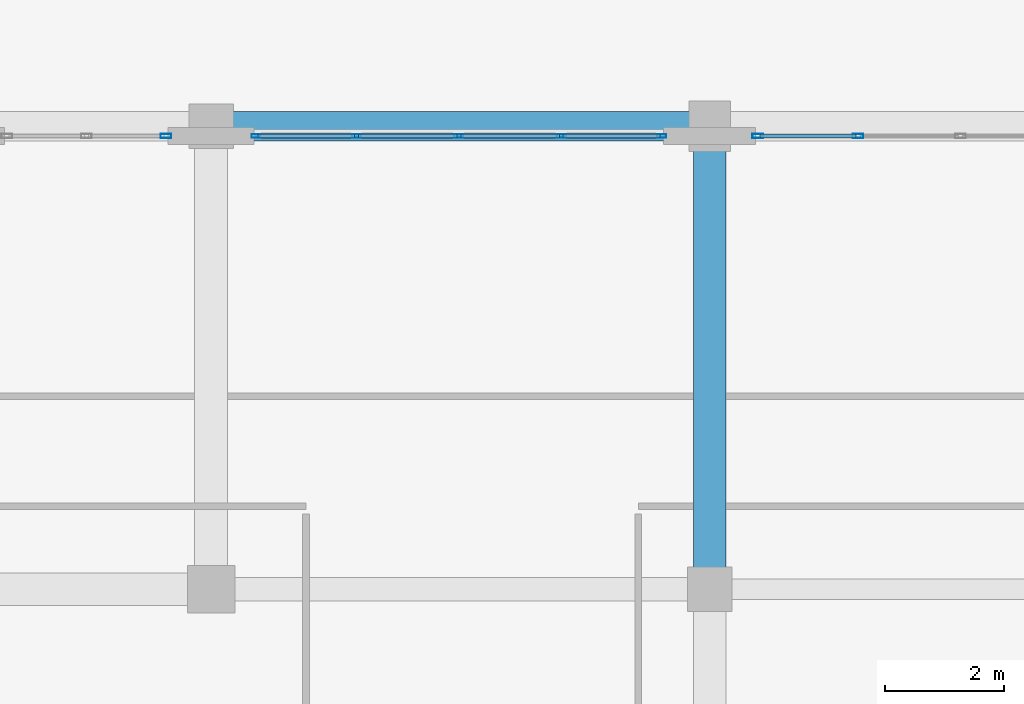
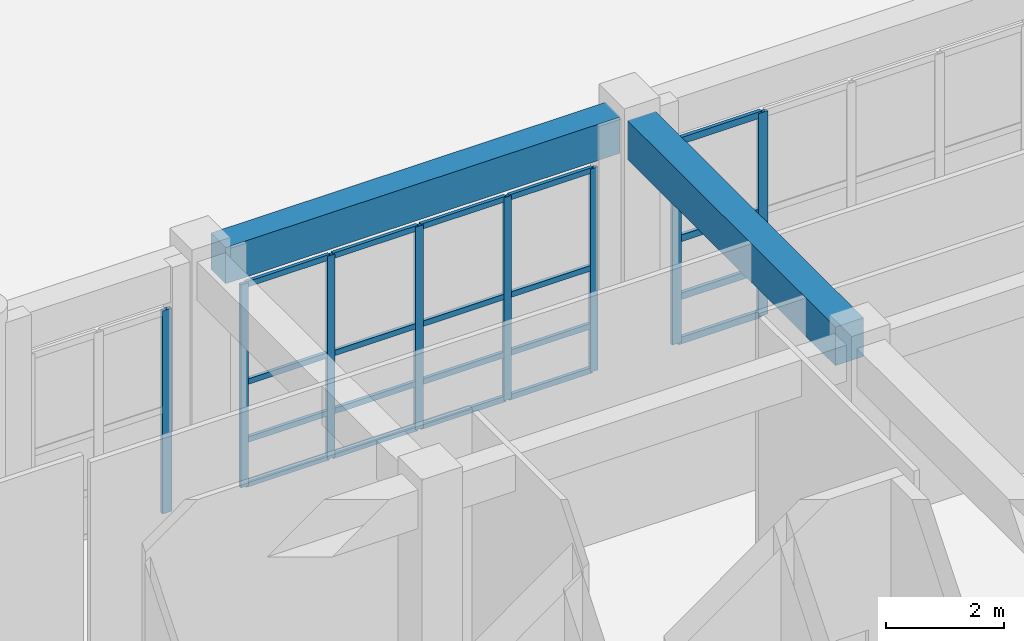
# One storey, part 22 of 148: 28 members, 2 beams, 3 elements without a shape of their own.
"""IFC4 building model written with IfcOpenShell, lengths in metres."""

from ifc_helpers import new_model, si_unit, direction, frame, origin, origin_2d, place, context, subcontext, project, spatial, rectangle, hollow_rectangle, extrude, material, layer, layer_set, material_profile, profile_set, type_object, element, aggregate, save


model = new_model("IFC4")

# Units and contexts
model_context = context("Model", 3, precision=1e-05, world=origin(), true_north=direction((0.0, 1.0)))
body_context = subcontext(model_context, "Body", "Model", "MODEL_VIEW")
ifc_project = project(units=[si_unit("LENGTHUNIT", "METRE"), si_unit("AREAUNIT", "SQUARE_METRE"), si_unit("VOLUMEUNIT", "CUBIC_METRE"), si_unit("PLANEANGLEUNIT", "RADIAN"), si_unit("MASSUNIT", "GRAM", prefix="KILO")], contexts=[model_context])

# Site, building, storey
site_placement = place(None, origin())
site = spatial("IfcSite", under=ifc_project, at=site_placement, CompositionType="ELEMENT")
building_placement = place(site_placement, origin())
building = spatial("IfcBuilding", under=site, at=building_placement, Name="Quendrovan Civic Courthouse", CompositionType="ELEMENT")
storey_placement = place(building_placement, origin())
storey = spatial("IfcBuildingStorey", under=building, at=storey_placement, Name="L01", CompositionType="ELEMENT", Elevation=0.0)

# Beams
ifc_material_1 = material(Name="Concrete C40/50", Category="concrete")
ifc_material_profile_1 = material_profile(ifc_material_1, rectangle(XDim=0.5, YDim=0.75, at=origin_2d()), Name="RC-BM-500x750")
ifc_profile_set_1 = profile_set([ifc_material_profile_1], Name="Concrete C40/50")
beam_type_1 = type_object("IfcBeamType", Name="BM-RC750", PredefinedType="SPANDREL", material=ifc_profile_set_1)
beam_1_placement = place(storey_placement, frame((33.955078125, 15.60009765625, 4.7451171875), z_axis=(1.0, 0.0, 0.0), x_axis=(0.0, 1.0, 0.0)))
element("IfcBeam", 1, at=beam_1_placement, inside=storey, type_object=beam_type_1, Name="L01 Girder X0269", PredefinedType="SPANDREL", context=body_context, shape_type="SweptSolid", body=[
    extrude(rectangle(XDim=0.5, YDim=0.75, at=origin_2d()), origin(), (0.0, 0.0, 1.0), 7.71484375),
])
ifc_material_profile_2 = material_profile(ifc_material_1, rectangle(XDim=0.550048828125, YDim=0.800048828125, at=origin_2d()), Name="RC-BM-550x800")
ifc_profile_set_2 = profile_set([ifc_material_profile_2], Name="Concrete C40/50")
beam_type_2 = type_object("IfcBeamType", Name="BM-RC800", PredefinedType="BEAM", material=ifc_profile_set_2)
beam_2_placement = place(storey_placement, frame((42.0, 8.155029296875, 4.719970703125), z_axis=(0.0, 1.0, 0.0), x_axis=(-1.0, 0.0, 0.0)))
element("IfcBeam", 2, at=beam_2_placement, inside=storey, type_object=beam_type_2, Name="L01 Girder Y0411", PredefinedType="BEAM", context=body_context, shape_type="SweptSolid", body=[
    extrude(rectangle(XDim=0.550048828125, YDim=0.800048828125, at=origin_2d()), origin(), (0.0, 0.0, 1.0), 7.0400390625),
])

# Curtain wall, member
ifc_material_2 = material(Name="Bronze anodised aluminium and low-E glass", Category="aluminium")
ifc_layer_1 = layer(ifc_material_2, 0.179931640625, Name="Bronze anodised aluminium and low-E glass")
ifc_layer_set_1 = layer_set([ifc_layer_1], Name="Bronze anodised aluminium and low-E glass")
curtain_wall_type_1 = type_object("IfcCurtainWallType", Name="CW-U28x42", PredefinedType="USERDEFINED", material=ifc_layer_set_1)
curtain_wall_1_placement = place(storey_placement, origin())
curtain_wall_1 = element("IfcCurtainWall", 3, at=curtain_wall_1_placement, inside=storey, type_object=curtain_wall_type_1, Name="L01 Unitised Hurricane Curtain Wall CW-006", ObjectType="UNITISED CURTAIN WALL", PredefinedType="USERDEFINED")
ifc_material_3 = material(Name="Bronze anodised aluminium", Category="aluminium")
ifc_material_profile_3 = material_profile(ifc_material_3, hollow_rectangle(XDim=0.070068359375, YDim=0.179931640625, WallThickness=0.00390625, at=origin_2d()), Name="CW-MULL-70x180")
ifc_profile_set_3 = profile_set([ifc_material_profile_3], Name="Bronze anodised aluminium")
member_type_1 = type_object("IfcMemberType", Name="CW-MULL-A", PredefinedType="MULLION", material=ifc_profile_set_3)
member_1_placement = place(storey_placement, frame((32.840087890625, 15.43505859375, 0.0), z_axis=(0.0, 0.0, 1.0), x_axis=(0.0, 1.0, 0.0)))
member_1 = element("IfcMember", 4, at=member_1_placement, type_object=member_type_1, Name="CW-006 mullion 3", PredefinedType="MULLION", context=body_context, shape_type="SweptSolid", body=[
    extrude(hollow_rectangle(XDim=0.070068359375, YDim=0.179931640625, WallThickness=0.00390625, at=origin_2d()), origin(), (0.0, 0.0, 1.0), 4.199951171875),
])
aggregate(curtain_wall_1, [member_1])

# Curtain wall, members
ifc_layer_2 = layer(ifc_material_2, 0.179931640625, Name="Bronze anodised aluminium and low-E glass")
ifc_layer_set_2 = layer_set([ifc_layer_2], Name="Bronze anodised aluminium and low-E glass")
curtain_wall_type_2 = type_object("IfcCurtainWallType", Name="CW-U69x42", PredefinedType="USERDEFINED", material=ifc_layer_set_2)
curtain_wall_2_placement = place(storey_placement, origin())
curtain_wall_2 = element("IfcCurtainWall", 5, at=curtain_wall_2_placement, inside=storey, type_object=curtain_wall_type_2, Name="L01 Unitised Hurricane Curtain Wall CW-008", ObjectType="UNITISED CURTAIN WALL", PredefinedType="USERDEFINED")
member_2_placement = place(storey_placement, frame((42.81005859375, 15.43505859375, 0.0), z_axis=(0.0, 0.0, 1.0), x_axis=(0.0, 1.0, 0.0)))
member_2 = element("IfcMember", 6, at=member_2_placement, type_object=member_type_1, Name="CW-008 mullion 1", PredefinedType="MULLION", context=body_context, shape_type="SweptSolid", body=[
    extrude(hollow_rectangle(XDim=0.070068359375, YDim=0.179931640625, WallThickness=0.00390625, at=origin_2d()), origin(), (0.0, 0.0, 1.0), 4.199951171875),
])
member_3_placement = place(storey_placement, frame((44.5, 15.43505859375, 0.0), z_axis=(0.0, 0.0, 1.0), x_axis=(0.0, 1.0, 0.0)))
member_3 = element("IfcMember", 7, at=member_3_placement, type_object=member_type_1, Name="CW-008 mullion 2", PredefinedType="MULLION", context=body_context, shape_type="SweptSolid", body=[
    extrude(hollow_rectangle(XDim=0.070068359375, YDim=0.179931640625, WallThickness=0.00390625, at=origin_2d()), origin(), (0.0, 0.0, 1.0), 4.199951171875),
])

curtain_wall_3_placement = place(storey_placement, origin())
curtain_wall_3 = element("IfcCurtainWall", 8, at=curtain_wall_3_placement, inside=storey, type_object=curtain_wall_type_2, Name="L01 Unitised Hurricane Curtain Wall CW-007", ObjectType="UNITISED CURTAIN WALL", PredefinedType="USERDEFINED")
ifc_material_profile_4 = material_profile(ifc_material_3, hollow_rectangle(XDim=0.06494140625, YDim=0.14990234375, WallThickness=0.00390625, at=origin_2d()), Name="CW-MULL-65x150")
ifc_profile_set_4 = profile_set([ifc_material_profile_4], Name="Bronze anodised aluminium")
member_type_2 = type_object("IfcMemberType", Name="CW-MULL-B", PredefinedType="MULLION", material=ifc_profile_set_4)
member_4_placement = place(storey_placement, frame((34.357421875, 15.43505859375, 0.0), z_axis=(0.0, 0.0, 1.0), x_axis=(0.0, 1.0, 0.0)))
member_4 = element("IfcMember", 9, at=member_4_placement, type_object=member_type_2, Name="CW-007 mullion 1", PredefinedType="MULLION", context=body_context, shape_type="SweptSolid", body=[
    extrude(hollow_rectangle(XDim=0.06494140625, YDim=0.14990234375, WallThickness=0.00390625, at=origin_2d()), origin(), (0.0, 0.0, 1.0), 4.199951171875),
])
member_5_placement = place(storey_placement, frame((36.050048828125, 15.43505859375, 0.0), z_axis=(0.0, 0.0, 1.0), x_axis=(0.0, 1.0, 0.0)))
member_5 = element("IfcMember", 10, at=member_5_placement, type_object=member_type_2, Name="CW-007 mullion 2", PredefinedType="MULLION", context=body_context, shape_type="SweptSolid", body=[
    extrude(hollow_rectangle(XDim=0.06494140625, YDim=0.14990234375, WallThickness=0.00390625, at=origin_2d()), origin(), (0.0, 0.0, 1.0), 4.199951171875),
])
member_6_placement = place(storey_placement, frame((37.77490234375, 15.43505859375, 0.0), z_axis=(0.0, 0.0, 1.0), x_axis=(0.0, 1.0, 0.0)))
member_6 = element("IfcMember", 11, at=member_6_placement, type_object=member_type_2, Name="CW-007 mullion 3", PredefinedType="MULLION", context=body_context, shape_type="SweptSolid", body=[
    extrude(hollow_rectangle(XDim=0.06494140625, YDim=0.14990234375, WallThickness=0.00390625, at=origin_2d()), origin(), (0.0, 0.0, 1.0), 4.199951171875),
])
member_7_placement = place(storey_placement, frame((39.5, 15.43505859375, 0.0), z_axis=(0.0, 0.0, 1.0), x_axis=(0.0, 1.0, 0.0)))
member_7 = element("IfcMember", 12, at=member_7_placement, type_object=member_type_2, Name="CW-007 mullion 4", PredefinedType="MULLION", context=body_context, shape_type="SweptSolid", body=[
    extrude(hollow_rectangle(XDim=0.06494140625, YDim=0.14990234375, WallThickness=0.00390625, at=origin_2d()), origin(), (0.0, 0.0, 1.0), 4.199951171875),
])
member_8_placement = place(storey_placement, frame((41.1923828125, 15.43505859375, 0.0), z_axis=(0.0, 0.0, 1.0), x_axis=(0.0, 1.0, 0.0)))
member_8 = element("IfcMember", 13, at=member_8_placement, type_object=member_type_2, Name="CW-007 mullion 5", PredefinedType="MULLION", context=body_context, shape_type="SweptSolid", body=[
    extrude(hollow_rectangle(XDim=0.06494140625, YDim=0.14990234375, WallThickness=0.00390625, at=origin_2d()), origin(), (0.0, 0.0, 1.0), 4.199951171875),
])

# Member
ifc_material_profile_5 = material_profile(ifc_material_3, hollow_rectangle(XDim=0.070068359375, YDim=0.139892578125, WallThickness=0.00390625, at=origin_2d()), Name="CW-TRAN-70x140")
ifc_profile_set_5 = profile_set([ifc_material_profile_5], Name="Bronze anodised aluminium")
member_type_3 = type_object("IfcMemberType", Name="CW-TRAN-A", PredefinedType="USERDEFINED", material=ifc_profile_set_5)
member_9_placement = place(storey_placement, frame((42.844970703125, 15.43505859375, 0.034912109375), z_axis=(1.0, 0.0, 0.0), x_axis=(0.0, 1.0, 0.0)))
member_9 = element("IfcMember", 14, at=member_9_placement, type_object=member_type_3, Name="CW-008 transom 1.1", ObjectType="TRANSOM", PredefinedType="USERDEFINED", context=body_context, shape_type="SweptSolid", body=[
    extrude(hollow_rectangle(XDim=0.070068359375, YDim=0.139892578125, WallThickness=0.00390625, at=origin_2d()), origin(), (0.0, 0.0, 1.0), 1.6201171875),
])

member_10_placement = place(storey_placement, frame((42.844970703125, 15.43505859375, 0.949951171875), z_axis=(1.0, 0.0, 0.0), x_axis=(0.0, 1.0, 0.0)))
member_10 = element("IfcMember", 15, at=member_10_placement, type_object=member_type_3, Name="CW-008 transom 1.2", ObjectType="TRANSOM", PredefinedType="USERDEFINED", context=body_context, shape_type="SweptSolid", body=[
    extrude(hollow_rectangle(XDim=0.070068359375, YDim=0.139892578125, WallThickness=0.00390625, at=origin_2d()), origin(), (0.0, 0.0, 1.0), 1.6201171875),
])

member_11_placement = place(storey_placement, frame((42.844970703125, 15.43505859375, 2.14990234375), z_axis=(1.0, 0.0, 0.0), x_axis=(0.0, 1.0, 0.0)))
member_11 = element("IfcMember", 16, at=member_11_placement, type_object=member_type_3, Name="CW-008 transom 1.3", ObjectType="TRANSOM", PredefinedType="USERDEFINED", context=body_context, shape_type="SweptSolid", body=[
    extrude(hollow_rectangle(XDim=0.070068359375, YDim=0.139892578125, WallThickness=0.00390625, at=origin_2d()), origin(), (0.0, 0.0, 1.0), 1.6201171875),
])

member_12_placement = place(storey_placement, frame((42.844970703125, 15.43505859375, 4.1650390625), z_axis=(1.0, 0.0, 0.0), x_axis=(0.0, 1.0, 0.0)))
member_12 = element("IfcMember", 17, at=member_12_placement, type_object=member_type_3, Name="CW-008 transom 1.4", ObjectType="TRANSOM", PredefinedType="USERDEFINED", context=body_context, shape_type="SweptSolid", body=[
    extrude(hollow_rectangle(XDim=0.070068359375, YDim=0.139892578125, WallThickness=0.00390625, at=origin_2d()), origin(), (0.0, 0.0, 1.0), 1.6201171875),
])

aggregate(curtain_wall_2, [member_2, member_3, member_9, member_10, member_11, member_12])

ifc_material_profile_6 = material_profile(ifc_material_3, hollow_rectangle(XDim=0.06494140625, YDim=0.114990234375, WallThickness=0.00390625, at=origin_2d()), Name="CW-TRAN-65x115")
ifc_profile_set_6 = profile_set([ifc_material_profile_6], Name="Bronze anodised aluminium")
member_type_4 = type_object("IfcMemberType", Name="CW-TRAN-B", PredefinedType="USERDEFINED", material=ifc_profile_set_6)
member_13_placement = place(storey_placement, frame((34.389892578125, 15.43505859375, 0.032470703125), z_axis=(1.0, 0.0, 0.0), x_axis=(0.0, 1.0, 0.0)))
member_13 = element("IfcMember", 18, at=member_13_placement, type_object=member_type_4, Name="CW-007 transom 1.1", ObjectType="TRANSOM", PredefinedType="USERDEFINED", context=body_context, shape_type="SweptSolid", body=[
    extrude(hollow_rectangle(XDim=0.06494140625, YDim=0.114990234375, WallThickness=0.00390625, at=origin_2d()), origin(), (0.0, 0.0, 1.0), 1.627685546875),
])

member_14_placement = place(storey_placement, frame((34.389892578125, 15.43505859375, 0.949951171875), z_axis=(1.0, 0.0, 0.0), x_axis=(0.0, 1.0, 0.0)))
member_14 = element("IfcMember", 19, at=member_14_placement, type_object=member_type_4, Name="CW-007 transom 1.2", ObjectType="TRANSOM", PredefinedType="USERDEFINED", context=body_context, shape_type="SweptSolid", body=[
    extrude(hollow_rectangle(XDim=0.06494140625, YDim=0.114990234375, WallThickness=0.00390625, at=origin_2d()), origin(), (0.0, 0.0, 1.0), 1.627685546875),
])

member_15_placement = place(storey_placement, frame((34.389892578125, 15.43505859375, 2.14990234375), z_axis=(1.0, 0.0, 0.0), x_axis=(0.0, 1.0, 0.0)))
member_15 = element("IfcMember", 20, at=member_15_placement, type_object=member_type_4, Name="CW-007 transom 1.3", ObjectType="TRANSOM", PredefinedType="USERDEFINED", context=body_context, shape_type="SweptSolid", body=[
    extrude(hollow_rectangle(XDim=0.06494140625, YDim=0.114990234375, WallThickness=0.00390625, at=origin_2d()), origin(), (0.0, 0.0, 1.0), 1.627685546875),
])

member_16_placement = place(storey_placement, frame((34.389892578125, 15.43505859375, 4.16748046875), z_axis=(1.0, 0.0, 0.0), x_axis=(0.0, 1.0, 0.0)))
member_16 = element("IfcMember", 21, at=member_16_placement, type_object=member_type_4, Name="CW-007 transom 1.4", ObjectType="TRANSOM", PredefinedType="USERDEFINED", context=body_context, shape_type="SweptSolid", body=[
    extrude(hollow_rectangle(XDim=0.06494140625, YDim=0.114990234375, WallThickness=0.00390625, at=origin_2d()), origin(), (0.0, 0.0, 1.0), 1.627685546875),
])

member_17_placement = place(storey_placement, frame((36.08251953125, 15.43505859375, 0.032470703125), z_axis=(1.0, 0.0, 0.0), x_axis=(0.0, 1.0, 0.0)))
member_17 = element("IfcMember", 22, at=member_17_placement, type_object=member_type_4, Name="CW-007 transom 2.1", ObjectType="TRANSOM", PredefinedType="USERDEFINED", context=body_context, shape_type="SweptSolid", body=[
    extrude(hollow_rectangle(XDim=0.06494140625, YDim=0.114990234375, WallThickness=0.00390625, at=origin_2d()), origin(), (0.0, 0.0, 1.0), 1.659912109375),
])

member_18_placement = place(storey_placement, frame((36.08251953125, 15.43505859375, 0.949951171875), z_axis=(1.0, 0.0, 0.0), x_axis=(0.0, 1.0, 0.0)))
member_18 = element("IfcMember", 23, at=member_18_placement, type_object=member_type_4, Name="CW-007 transom 2.2", ObjectType="TRANSOM", PredefinedType="USERDEFINED", context=body_context, shape_type="SweptSolid", body=[
    extrude(hollow_rectangle(XDim=0.06494140625, YDim=0.114990234375, WallThickness=0.00390625, at=origin_2d()), origin(), (0.0, 0.0, 1.0), 1.659912109375),
])

member_19_placement = place(storey_placement, frame((36.08251953125, 15.43505859375, 2.14990234375), z_axis=(1.0, 0.0, 0.0), x_axis=(0.0, 1.0, 0.0)))
member_19 = element("IfcMember", 24, at=member_19_placement, type_object=member_type_4, Name="CW-007 transom 2.3", ObjectType="TRANSOM", PredefinedType="USERDEFINED", context=body_context, shape_type="SweptSolid", body=[
    extrude(hollow_rectangle(XDim=0.06494140625, YDim=0.114990234375, WallThickness=0.00390625, at=origin_2d()), origin(), (0.0, 0.0, 1.0), 1.659912109375),
])

member_20_placement = place(storey_placement, frame((36.08251953125, 15.43505859375, 4.16748046875), z_axis=(1.0, 0.0, 0.0), x_axis=(0.0, 1.0, 0.0)))
member_20 = element("IfcMember", 25, at=member_20_placement, type_object=member_type_4, Name="CW-007 transom 2.4", ObjectType="TRANSOM", PredefinedType="USERDEFINED", context=body_context, shape_type="SweptSolid", body=[
    extrude(hollow_rectangle(XDim=0.06494140625, YDim=0.114990234375, WallThickness=0.00390625, at=origin_2d()), origin(), (0.0, 0.0, 1.0), 1.659912109375),
])

member_21_placement = place(storey_placement, frame((37.8076171875, 15.43505859375, 0.032470703125), z_axis=(1.0, 0.0, 0.0), x_axis=(0.0, 1.0, 0.0)))
member_21 = element("IfcMember", 26, at=member_21_placement, type_object=member_type_4, Name="CW-007 transom 3.1", ObjectType="TRANSOM", PredefinedType="USERDEFINED", context=body_context, shape_type="SweptSolid", body=[
    extrude(hollow_rectangle(XDim=0.06494140625, YDim=0.114990234375, WallThickness=0.00390625, at=origin_2d()), origin(), (0.0, 0.0, 1.0), 1.659912109375),
])

member_22_placement = place(storey_placement, frame((37.8076171875, 15.43505859375, 0.949951171875), z_axis=(1.0, 0.0, 0.0), x_axis=(0.0, 1.0, 0.0)))
member_22 = element("IfcMember", 27, at=member_22_placement, type_object=member_type_4, Name="CW-007 transom 3.2", ObjectType="TRANSOM", PredefinedType="USERDEFINED", context=body_context, shape_type="SweptSolid", body=[
    extrude(hollow_rectangle(XDim=0.06494140625, YDim=0.114990234375, WallThickness=0.00390625, at=origin_2d()), origin(), (0.0, 0.0, 1.0), 1.659912109375),
])

member_23_placement = place(storey_placement, frame((37.8076171875, 15.43505859375, 2.14990234375), z_axis=(1.0, 0.0, 0.0), x_axis=(0.0, 1.0, 0.0)))
member_23 = element("IfcMember", 28, at=member_23_placement, type_object=member_type_4, Name="CW-007 transom 3.3", ObjectType="TRANSOM", PredefinedType="USERDEFINED", context=body_context, shape_type="SweptSolid", body=[
    extrude(hollow_rectangle(XDim=0.06494140625, YDim=0.114990234375, WallThickness=0.00390625, at=origin_2d()), origin(), (0.0, 0.0, 1.0), 1.659912109375),
])

member_24_placement = place(storey_placement, frame((37.8076171875, 15.43505859375, 4.16748046875), z_axis=(1.0, 0.0, 0.0), x_axis=(0.0, 1.0, 0.0)))
member_24 = element("IfcMember", 29, at=member_24_placement, type_object=member_type_4, Name="CW-007 transom 3.4", ObjectType="TRANSOM", PredefinedType="USERDEFINED", context=body_context, shape_type="SweptSolid", body=[
    extrude(hollow_rectangle(XDim=0.06494140625, YDim=0.114990234375, WallThickness=0.00390625, at=origin_2d()), origin(), (0.0, 0.0, 1.0), 1.659912109375),
])

member_25_placement = place(storey_placement, frame((39.532470703125, 15.43505859375, 0.032470703125), z_axis=(1.0, 0.0, 0.0), x_axis=(0.0, 1.0, 0.0)))
member_25 = element("IfcMember", 30, at=member_25_placement, type_object=member_type_4, Name="CW-007 transom 4.1", ObjectType="TRANSOM", PredefinedType="USERDEFINED", context=body_context, shape_type="SweptSolid", body=[
    extrude(hollow_rectangle(XDim=0.06494140625, YDim=0.114990234375, WallThickness=0.00390625, at=origin_2d()), origin(), (0.0, 0.0, 1.0), 1.62744140625),
])

member_26_placement = place(storey_placement, frame((39.532470703125, 15.43505859375, 0.949951171875), z_axis=(1.0, 0.0, 0.0), x_axis=(0.0, 1.0, 0.0)))
member_26 = element("IfcMember", 31, at=member_26_placement, type_object=member_type_4, Name="CW-007 transom 4.2", ObjectType="TRANSOM", PredefinedType="USERDEFINED", context=body_context, shape_type="SweptSolid", body=[
    extrude(hollow_rectangle(XDim=0.06494140625, YDim=0.114990234375, WallThickness=0.00390625, at=origin_2d()), origin(), (0.0, 0.0, 1.0), 1.62744140625),
])

member_27_placement = place(storey_placement, frame((39.532470703125, 15.43505859375, 2.14990234375), z_axis=(1.0, 0.0, 0.0), x_axis=(0.0, 1.0, 0.0)))
member_27 = element("IfcMember", 32, at=member_27_placement, type_object=member_type_4, Name="CW-007 transom 4.3", ObjectType="TRANSOM", PredefinedType="USERDEFINED", context=body_context, shape_type="SweptSolid", body=[
    extrude(hollow_rectangle(XDim=0.06494140625, YDim=0.114990234375, WallThickness=0.00390625, at=origin_2d()), origin(), (0.0, 0.0, 1.0), 1.62744140625),
])

member_28_placement = place(storey_placement, frame((39.532470703125, 15.43505859375, 4.16748046875), z_axis=(1.0, 0.0, 0.0), x_axis=(0.0, 1.0, 0.0)))
member_28 = element("IfcMember", 33, at=member_28_placement, type_object=member_type_4, Name="CW-007 transom 4.4", ObjectType="TRANSOM", PredefinedType="USERDEFINED", context=body_context, shape_type="SweptSolid", body=[
    extrude(hollow_rectangle(XDim=0.06494140625, YDim=0.114990234375, WallThickness=0.00390625, at=origin_2d()), origin(), (0.0, 0.0, 1.0), 1.62744140625),
])

aggregate(curtain_wall_3, [member_4, member_5, member_6, member_7, member_8, member_13, member_14, member_15, member_16, member_17, member_18, member_19, member_20, member_21, member_22, member_23, member_24, member_25, member_26, member_27, member_28])

save(model, "model.ifc")
